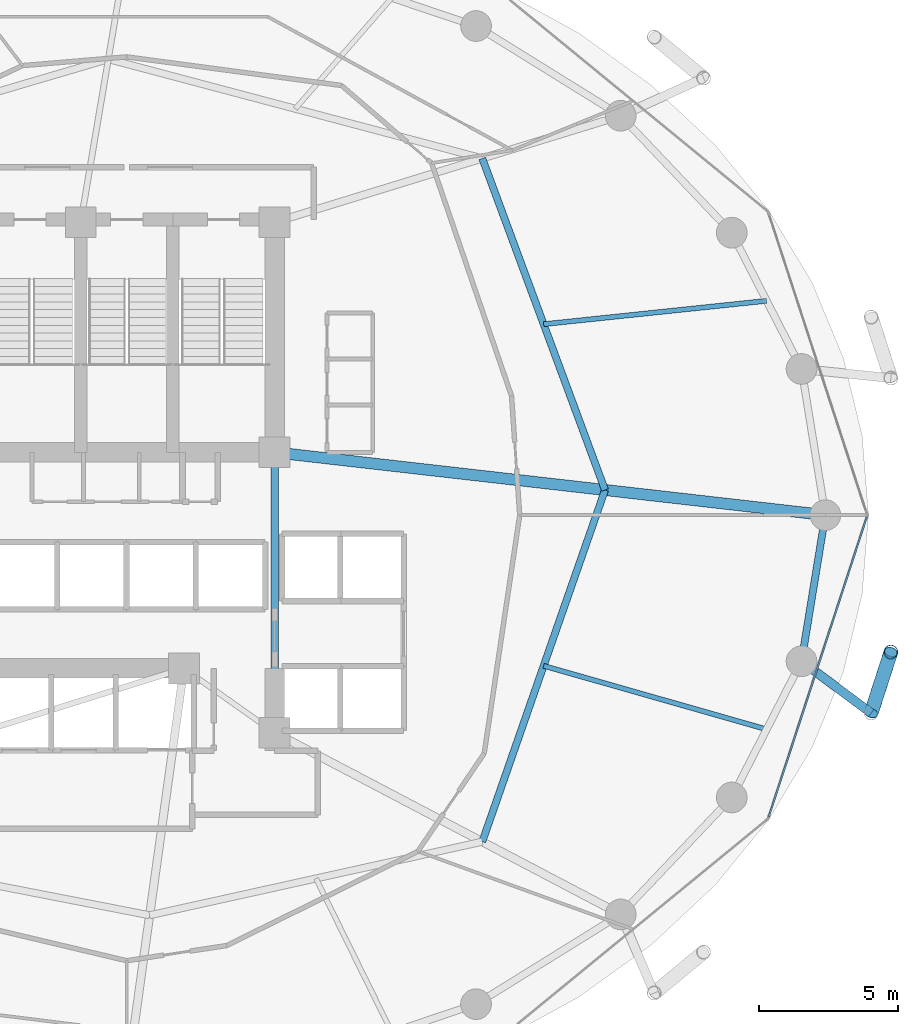
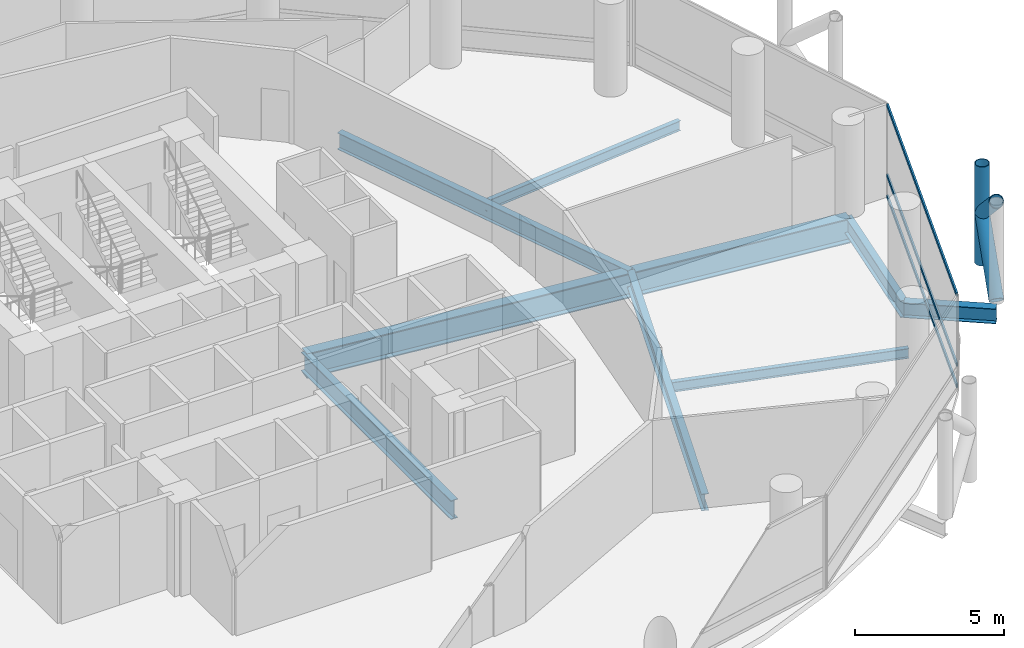
# One storey, part 11 of 25: 8 beams, 6 members, 1 element without a shape of its own.
"""IFC4 building model written with IfcOpenShell, lengths in metres."""

from ifc_helpers import new_model, si_unit, direction, frame, origin, origin_2d, place, context, subcontext, project, spatial, hollow_rectangle, hollow_circle, i_section, extrude, material, layer, layer_set, material_profile, profile_set, type_object, element, aggregate, save


model = new_model("IFC4")

# Units and contexts
model_context = context("Model", 3, precision=1e-05, world=origin(), true_north=direction((0.0, 1.0)))
body_context = subcontext(model_context, "Body", "Model", "MODEL_VIEW")
ifc_project = project(units=[si_unit("LENGTHUNIT", "METRE"), si_unit("AREAUNIT", "SQUARE_METRE"), si_unit("VOLUMEUNIT", "CUBIC_METRE"), si_unit("PLANEANGLEUNIT", "RADIAN"), si_unit("MASSUNIT", "GRAM", prefix="KILO")], contexts=[model_context])

# Site, building, storey
site_placement = place(None, origin())
site = spatial("IfcSite", under=ifc_project, at=site_placement, CompositionType="ELEMENT")
building_placement = place(site_placement, origin())
building = spatial("IfcBuilding", under=site, at=building_placement, Name="Nuhasar Tower", CompositionType="ELEMENT")
storey_placement = place(building_placement, frame((0.0, 0.0, 65.550048828125)))
storey = spatial("IfcBuildingStorey", under=building, at=storey_placement, Name="L15", CompositionType="ELEMENT", Elevation=65.550048828125)

# Beams
ifc_material_1 = material(Name="Steel S355", Category="steel")
ifc_material_profile_1 = material_profile(ifc_material_1, i_section(OverallWidth=0.25390625, OverallDepth=0.68408203125, WebThickness=0.012451171875, FlangeThickness=0.018798828125, at=origin_2d()), Name="W27X94")
ifc_profile_set_1 = profile_set([ifc_material_profile_1], Name="Steel S355")
beam_type_1 = type_object("IfcBeamType", Name="BM-INRING-W27X94", PredefinedType="BEAM", material=ifc_profile_set_1)
beam_1_placement = place(storey_placement, frame((51.748046875, 15.089111328125, -0.592041015625), z_axis=(0.329554049858, 0.944136710558, 0.0), x_axis=(-0.944136710558, 0.329554049858, 0.0)))
element("IfcBeam", 1, at=beam_1_placement, inside=storey, type_object=beam_type_1, Name="L15 Inner Header Beam 03", PredefinedType="BEAM", context=body_context, shape_type="SweptSolid", body=[
    extrude(i_section(OverallWidth=0.25390625, OverallDepth=0.68408203125, WebThickness=0.012451171875, FlangeThickness=0.018798828125, at=origin_2d()), origin(), (0.0, 0.0, 1.0), 13.35693359375),
])
beam_2_placement = place(storey_placement, frame((56.14990234375, 27.699951171875, -0.592041015625), z_axis=(-0.34715757476, 0.937806812881, 0.0), x_axis=(-0.937806812881, -0.34715757476, 0.0)))
element("IfcBeam", 2, at=beam_2_placement, inside=storey, type_object=beam_type_1, Name="L15 Inner Header Beam 04", PredefinedType="BEAM", context=body_context, shape_type="SweptSolid", body=[
    extrude(i_section(OverallWidth=0.25390625, OverallDepth=0.68408203125, WebThickness=0.012451171875, FlangeThickness=0.018798828125, at=origin_2d()), origin(), (0.0, 0.0, 1.0), 12.6796875),
])
ifc_material_profile_2 = material_profile(ifc_material_1, i_section(OverallWidth=0.177978515625, OverallDepth=0.406005859375, WebThickness=0.0078125, FlangeThickness=0.0126953125, at=origin_2d()), Name="W16X40")
ifc_profile_set_2 = profile_set([ifc_material_profile_2], Name="Steel S355")
beam_type_2 = type_object("IfcBeamType", Name="BM-JST-W16X40", PredefinedType="JOIST", material=ifc_profile_set_2)
beam_3_placement = place(storey_placement, frame((53.948974609375, 21.39501953125, -0.453125), z_axis=(0.961730884496, -0.273995813484, 0.0), x_axis=(0.273995813484, 0.961730884496, 0.0)))
element("IfcBeam", 3, at=beam_3_placement, inside=storey, type_object=beam_type_2, Name="L15 Secondary Floor Joist 03", PredefinedType="JOIST", context=body_context, shape_type="SweptSolid", body=[
    extrude(i_section(OverallWidth=0.177978515625, OverallDepth=0.406005859375, WebThickness=0.0078125, FlangeThickness=0.0126953125, at=origin_2d()), origin(), (0.0, 0.0, 1.0), 8.314208984375),
])
beam_4_placement = place(storey_placement, frame((53.948974609375, 33.64501953125, -0.453125), z_axis=(0.994554594377, 0.104216883485, 0.0), x_axis=(-0.104216883485, 0.994554594377, 0.0)))
element("IfcBeam", 4, at=beam_4_placement, inside=storey, type_object=beam_type_2, Name="L15 Secondary Floor Joist 04", PredefinedType="JOIST", context=body_context, shape_type="SweptSolid", body=[
    extrude(i_section(OverallWidth=0.177978515625, OverallDepth=0.406005859375, WebThickness=0.0078125, FlangeThickness=0.0126953125, at=origin_2d()), origin(), (0.0, 0.0, 1.0), 8.039794921875),
])
ifc_material_profile_3 = material_profile(ifc_material_1, i_section(OverallWidth=0.26611328125, OverallDepth=0.779052734375, WebThickness=0.0166015625, FlangeThickness=0.030029296875, at=origin_2d()), Name="W30X148")
ifc_profile_set_3 = profile_set([ifc_material_profile_3], Name="Steel S355")
beam_type_3 = type_object("IfcBeamType", Name="BM-RAD-W30X148", PredefinedType="BEAM", material=ifc_profile_set_3)
beam_5_placement = place(storey_placement, frame((44.300048828125, 19.0, -0.64013671875), z_axis=(0.0, 1.0, 0.0), x_axis=(-1.0, 0.0, 0.0)))
element("IfcBeam", 5, at=beam_5_placement, inside=storey, type_object=beam_type_3, Name="L15 Core Ring Girder 3", PredefinedType="BEAM", context=body_context, shape_type="SweptSolid", body=[
    extrude(i_section(OverallWidth=0.26611328125, OverallDepth=0.779052734375, WebThickness=0.0166015625, FlangeThickness=0.030029296875, at=origin_2d()), origin(), (0.0, 0.0, 1.0), 10.050048828125),
])
ifc_material_profile_4 = material_profile(ifc_material_1, i_section(OverallWidth=0.256103515625, OverallDepth=0.693115234375, WebThickness=0.014404296875, FlangeThickness=0.023681640625, at=origin_2d()), Name="W27X114")
ifc_profile_set_4 = profile_set([ifc_material_profile_4], Name="Steel S355")
beam_type_4 = type_object("IfcBeamType", Name="BM-RING-W27X114", PredefinedType="SPANDREL", material=ifc_profile_set_4)
beam_6_placement = place(storey_placement, frame((63.196044921875, 21.55908203125, -0.59716796875), z_axis=(0.160826635486, 0.986982671235, 0.0), x_axis=(-0.986982671235, 0.160826635486, 0.0)))
element("IfcBeam", 6, at=beam_6_placement, inside=storey, type_object=beam_type_4, Name="L15 Perimeter Ring Spandrel 24", PredefinedType="SPANDREL", context=body_context, shape_type="SweptSolid", body=[
    extrude(i_section(OverallWidth=0.256103515625, OverallDepth=0.693115234375, WebThickness=0.014404296875, FlangeThickness=0.023681640625, at=origin_2d()), origin(), (0.0, 0.0, 1.0), 5.31005859375),
])
ifc_material_profile_5 = material_profile(ifc_material_1, i_section(OverallWidth=0.323974609375, OverallDepth=0.611083984375, WebThickness=0.0126953125, FlangeThickness=0.01904296875, at=origin_2d()), Name="W24X104")
ifc_profile_set_5 = profile_set([ifc_material_profile_5], Name="Steel S355")
beam_type_5 = type_object("IfcBeamType", Name="BM-TIE-W24X104", PredefinedType="BEAM", material=ifc_profile_set_5)
beam_7_placement = place(storey_placement, frame((63.196044921875, 21.55908203125, -0.554931640625), z_axis=(0.802113478067, -0.597171640572, 0.0), x_axis=(0.597171640572, 0.802113478067, 0.0)))
element("IfcBeam", 7, at=beam_7_placement, inside=storey, type_object=beam_type_5, Name="L15 Exoskeleton Node Tie Beam 12", PredefinedType="BEAM", context=body_context, shape_type="SweptSolid", body=[
    extrude(i_section(OverallWidth=0.323974609375, OverallDepth=0.611083984375, WebThickness=0.0126953125, FlangeThickness=0.01904296875, at=origin_2d()), origin(), (0.0, 0.0, 1.0), 3.111572265625),
])
ifc_material_2 = material(Name="Steel S460", Category="steel")
ifc_material_profile_6 = material_profile(ifc_material_2, i_section(OverallWidth=0.40087890625, OverallDepth=1.010009765625, WebThickness=0.023681640625, FlangeThickness=0.0419921875, at=origin_2d()), Name="W40X297")
ifc_profile_set_6 = profile_set([ifc_material_profile_6], Name="Steel S460")
beam_type_6 = type_object("IfcBeamType", Name="BM-XFER-W40X297", PredefinedType="USERDEFINED", material=ifc_profile_set_6)
beam_8_placement = place(storey_placement, frame((44.300048828125, 29.050048828125, -0.755126953125), z_axis=(0.993573147212, -0.113191877531, 0.0), x_axis=(0.113191877531, 0.993573147212, 0.0)))
element("IfcBeam", 8, at=beam_8_placement, inside=storey, type_object=beam_type_6, Name="L15 Radial Floor Girder 04", ObjectType="GIRDER", PredefinedType="USERDEFINED", context=body_context, shape_type="SweptSolid", body=[
    extrude(i_section(OverallWidth=0.40087890625, OverallDepth=1.010009765625, WebThickness=0.023681640625, FlangeThickness=0.0419921875, at=origin_2d()), origin(), (0.0, 0.0, 1.0), 19.877685546875),
])

# Curtain wall, members
ifc_material_3 = material(Name="Aluminium 6063-T6", Category="aluminium")
ifc_layer = layer(ifc_material_3, 0.199951171875)
ifc_layer_set = layer_set([ifc_layer], Name="Aluminium 6063-T6")
curtain_wall_type = type_object("IfcCurtainWallType", Name="CW-Z1-OFF", PredefinedType="NOTDEFINED", material=ifc_layer_set)
curtain_wall_placement = place(storey_placement, origin())
curtain_wall = element("IfcCurtainWall", 9, at=curtain_wall_placement, inside=storey, type_object=curtain_wall_type, Name="L15 Unitised Curtain Wall 12", PredefinedType="NOTDEFINED")
ifc_material_profile_7 = material_profile(ifc_material_3, hollow_rectangle(XDim=0.06494140625, YDim=0.14990234375, WallThickness=0.00439453125, at=origin_2d()), Name="CWT-2")
ifc_profile_set_7 = profile_set([ifc_material_profile_7], Name="Aluminium 6063-T6")
member_type_1 = type_object("IfcMemberType", Name="CW-TRN-S2", PredefinedType="USERDEFINED", material=ifc_profile_set_7)
member_1_placement = place(storey_placement, frame((62.022216796875, 15.981689453125, 0.032470703125), z_axis=(0.310818687697, 0.950469222741, 0.0), x_axis=(-0.950469222741, 0.310818687697, 0.0)))
member_1 = element("IfcMember", 10, at=member_1_placement, type_object=member_type_1, Name="CW-Z1 transom 1.1", ObjectType="TRANSOM", PredefinedType="USERDEFINED", context=body_context, shape_type="SweptSolid", body=[
    extrude(hollow_rectangle(XDim=0.06494140625, YDim=0.14990234375, WallThickness=0.00439453125, at=origin_2d()), origin(), (0.0, 0.0, 1.0), 11.317138671875),
])
member_2_placement = place(storey_placement, frame((62.022216796875, 15.981689453125, 0.89990234375), z_axis=(0.310818687697, 0.950469222741, 0.0), x_axis=(-0.950469222741, 0.310818687697, 0.0)))
member_2 = element("IfcMember", 11, at=member_2_placement, type_object=member_type_1, Name="CW-Z1 transom 1.2", ObjectType="TRANSOM", PredefinedType="USERDEFINED", context=body_context, shape_type="SweptSolid", body=[
    extrude(hollow_rectangle(XDim=0.06494140625, YDim=0.14990234375, WallThickness=0.00439453125, at=origin_2d()), origin(), (0.0, 0.0, 1.0), 11.317138671875),
])
member_3_placement = place(storey_placement, frame((62.022216796875, 15.981689453125, 3.767333984375), z_axis=(0.310818687697, 0.950469222741, 0.0), x_axis=(-0.950469222741, 0.310818687697, 0.0)))
member_3 = element("IfcMember", 12, at=member_3_placement, type_object=member_type_1, Name="CW-Z1 transom 1.3", ObjectType="TRANSOM", PredefinedType="USERDEFINED", context=body_context, shape_type="SweptSolid", body=[
    extrude(hollow_rectangle(XDim=0.06494140625, YDim=0.14990234375, WallThickness=0.00439453125, at=origin_2d()), origin(), (0.0, 0.0, 1.0), 11.317138671875),
])
aggregate(curtain_wall, [member_1, member_2, member_3])

# Members
ifc_material_profile_8 = material_profile(ifc_material_2, hollow_circle(Radius=0.25390625, WallThickness=0.025390625, at=origin_2d()), Name="HSS508X25.4")
ifc_profile_set_8 = profile_set([ifc_material_profile_8], Name="Steel S460")
member_type_2 = type_object("IfcMemberType", Name="EXO-BRONZE-508", PredefinedType="BRACE", material=ifc_profile_set_8)
member_4_placement = place(storey_placement, frame((66.39990234375, 21.889892578125, 0.0), z_axis=(0.0, 0.0, 1.0), x_axis=(1.0, 0.0, 0.0)))
element("IfcMember", 13, at=member_4_placement, inside=storey, type_object=member_type_2, Name="L15 Exoskeleton Chord Column EC-12B", PredefinedType="BRACE", context=body_context, shape_type="SweptSolid", body=[
    extrude(hollow_circle(Radius=0.25390625, WallThickness=0.025390625, at=origin_2d()), origin(), (0.0, 0.0, 1.0), 4.050048828125),
])
member_5_placement = place(storey_placement, frame((65.69189453125, 19.700927734375, 0.0), z_axis=(0.231011836313, 0.714224870475, 0.660693851854), x_axis=(-0.951468282519, 0.307746823478, 0.0)))
element("IfcMember", 14, at=member_5_placement, inside=storey, type_object=member_type_2, Name="L15 Bronze Diagrid Brace W1-12", PredefinedType="BRACE", context=body_context, shape_type="SweptSolid", body=[
    extrude(hollow_circle(Radius=0.25390625, WallThickness=0.025390625, at=origin_2d()), origin(), (0.0, 0.0, 1.0), 3.064697265625),
])
member_6_placement = place(storey_placement, frame((66.39990234375, 21.889892578125, 2.02490234375), z_axis=(-0.230999678299, -0.714187281251, 0.660738734997), x_axis=(0.951468282519, -0.307746823478, 0.0)))
element("IfcMember", 15, at=member_6_placement, inside=storey, type_object=member_type_2, Name="L15 Bronze Diagrid Brace W2-12", PredefinedType="BRACE", context=body_context, shape_type="SweptSolid", body=[
    extrude(hollow_circle(Radius=0.25390625, WallThickness=0.025390625, at=origin_2d()), origin(), (0.0, 0.0, 1.0), 3.06494140625),
])

save(model, "model.ifc")
